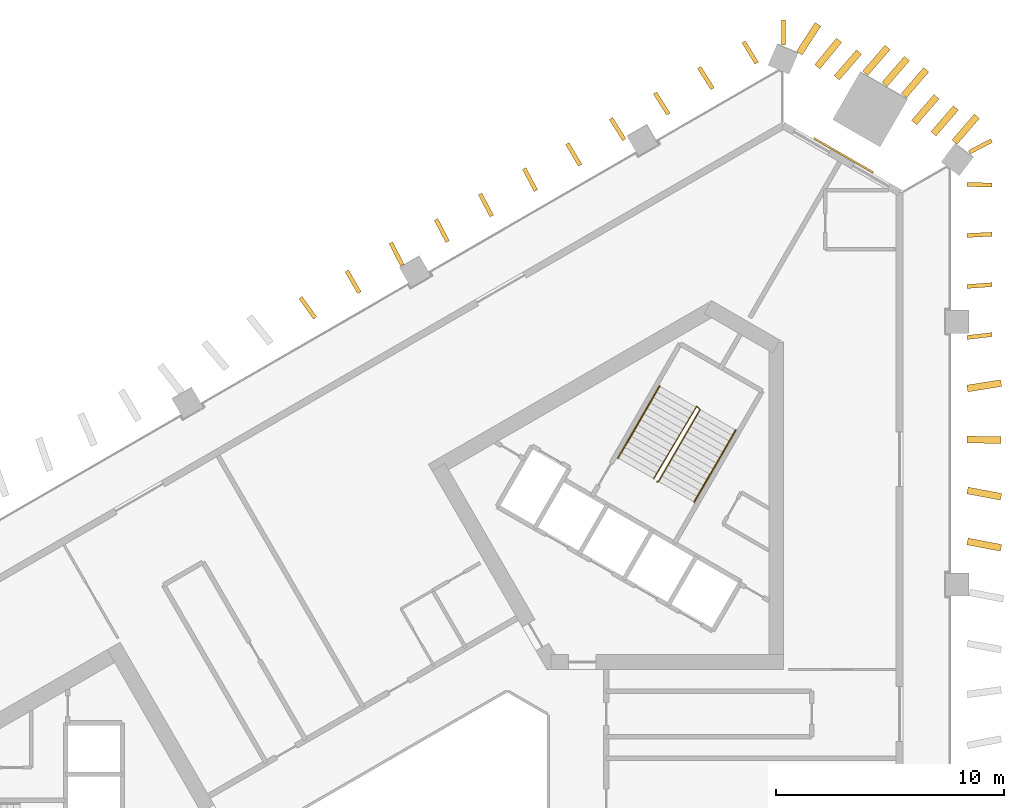
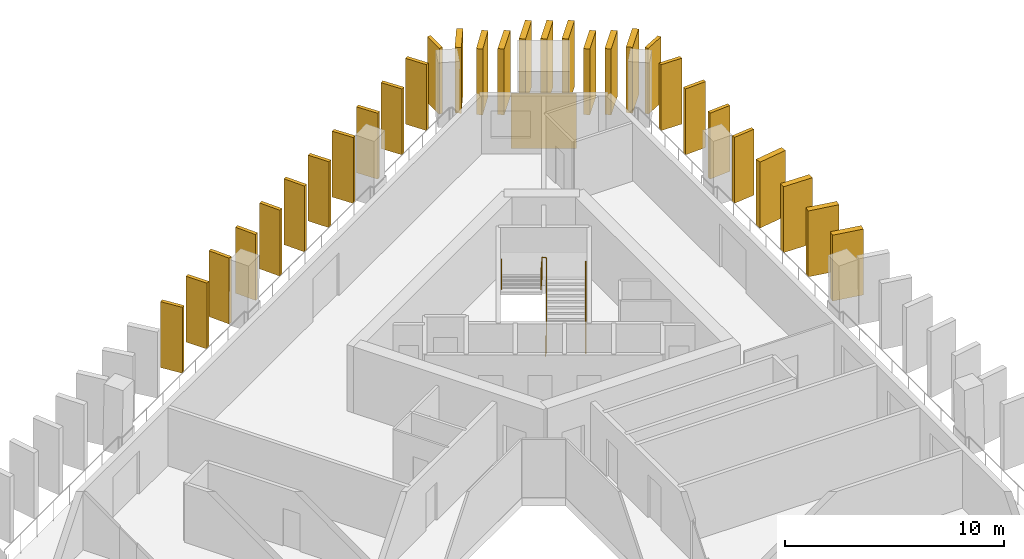
# One storey, part 10 of 10: 30 shading devices, 3 railings, 1 covering.
"""IFC4 building model written with IfcOpenShell, lengths in metres."""

from ifc_helpers import new_model, si_unit, direction, frame, frame_2d, origin, origin_2d, place, context, subcontext, project, spatial, rectangle, circle, extrude, material, layer, layer_set, type_object, element, save


model = new_model("IFC4")

# Units and contexts
model_context = context("Model", 3, precision=1e-05, world=origin(), true_north=direction((0.0, 1.0)))
body_context = subcontext(model_context, "Body", "Model", "MODEL_VIEW")
ifc_project = project(units=[si_unit("LENGTHUNIT", "METRE"), si_unit("AREAUNIT", "SQUARE_METRE"), si_unit("VOLUMEUNIT", "CUBIC_METRE"), si_unit("PLANEANGLEUNIT", "RADIAN"), si_unit("MASSUNIT", "GRAM", prefix="KILO")], contexts=[model_context])

# Site, building, storey
site_placement = place(None, origin())
site = spatial("IfcSite", under=ifc_project, at=site_placement, CompositionType="ELEMENT")
building_placement = place(site_placement, origin())
building = spatial("IfcBuilding", under=site, at=building_placement, Name="Jabali Bay Hotel Tower and Convention Centre", CompositionType="ELEMENT")
storey_placement = place(building_placement, frame((0.0, 0.0, 106.800048828125)))
storey = spatial("IfcBuildingStorey", under=building, at=storey_placement, Name="L25", CompositionType="ELEMENT", Elevation=106.800048828125)

# Shading devices
ifc_material_1 = material(Name="Precast concrete C60", Category="concrete")
ifc_layer_1 = layer(ifc_material_1, 0.179931640625)
ifc_layer_set_1 = layer_set([ifc_layer_1], Name="Precast concrete C60")
shading_device_type_1 = type_object("IfcShadingDeviceType", Name="Precast fin 3680 x 1100", PredefinedType="USERDEFINED", material=ifc_layer_set_1)
shading_device_1_placement = place(storey_placement, frame((97.909912109375, 102.337646484375, 0.010009765625), z_axis=(0.0, 0.0, 1.0), x_axis=(0.993392398036, 0.114767345203, 0.0)))
element("IfcShadingDevice", 1, at=shading_device_1_placement, inside=storey, type_object=shading_device_type_1, Name="Fin L25 023", ObjectType="FIN", PredefinedType="USERDEFINED", context=body_context, shape_type="SweptSolid", body=[
    extrude(rectangle(XDim=1.099853515625, YDim=0.179931640625, at=frame_2d((0.5498046875, 0.0))), origin(), (0.0, 0.0, 1.0), 3.679931640625),
])
for number, where, z_axis, x_axis, name in (
    (2, (97.906005859375, 104.5712890625, 0.010009765625), (0.0, 0.0, 1.0), (0.997330965232, 0.073013326115, 0.0), "Fin L25 024"),
    (3, (97.904052734375, 106.80517578125, 0.010009765625), (0.0, 0.0, 1.0), (0.998696380733, 0.051044481682, 0.0), "Fin L25 025"),
    (4, (97.901123046875, 109.038818359375, 0.010009765625), (0.0, 0.0, 1.0), (0.999838398582, -0.0179771166, 0.0), "Fin L25 026"),
    (5, (88.697509765625, 114.35302734375, 0.010009765625), (0.0, 0.0, 1.0), (-0.523701173986, 0.851902036836, 0.0), "Fin L25 036"),
):
    element("IfcShadingDevice", number, at=place(storey_placement, frame(where, z_axis=z_axis, x_axis=x_axis)), inside=storey, type_object=shading_device_type_1, Name=name, ObjectType="FIN", PredefinedType="USERDEFINED", context=body_context, shape_type="SweptSolid", body=[
        extrude(rectangle(XDim=1.10009765625, YDim=0.179931640625, at=frame_2d((0.550048828125, 0.0))), origin(), (0.0, 0.0, 1.0), 3.679931640625),
    ])
shading_device_2_placement = place(storey_placement, frame((86.762451171875, 113.237060546875, 0.010009765625), z_axis=(0.0, 0.0, 1.0), x_axis=(-0.532530640354, 0.846410725998, 0.0)))
element("IfcShadingDevice", 6, at=shading_device_2_placement, inside=storey, type_object=shading_device_type_1, Name="Fin L25 037", ObjectType="FIN", PredefinedType="USERDEFINED", context=body_context, shape_type="SweptSolid", body=[
    extrude(rectangle(XDim=1.099853515625, YDim=0.179931640625, at=frame_2d((0.5498046875, 0.0))), origin(), (0.0, 0.0, 1.0), 3.679931640625),
])
shading_device_3_placement = place(storey_placement, frame((84.827880859375, 112.1201171875, 0.010009765625), z_axis=(0.0, 0.0, 1.0), x_axis=(-0.532430600127, 0.846473659394, 0.0)))
element("IfcShadingDevice", 7, at=shading_device_3_placement, inside=storey, type_object=shading_device_type_1, Name="Fin L25 038", ObjectType="FIN", PredefinedType="USERDEFINED", context=body_context, shape_type="SweptSolid", body=[
    extrude(rectangle(XDim=1.10009765625, YDim=0.179931640625, at=frame_2d((0.550048828125, 0.0))), origin(), (0.0, 0.0, 1.0), 3.679931640625),
])
for number, where, z_axis, x_axis, name in (
    (8, (82.8935546875, 111.00341796875, 0.010009765625), (0.0, 0.0, 1.0), (-0.532689641282, 0.846310667587, 0.0), "Fin L25 039"),
    (9, (80.960205078125, 109.88427734375, 0.010009765625), (0.0, 0.0, 1.0), (-0.507854109333, 0.861443093671, 0.0), "Fin L25 040"),
    (10, (79.024658203125, 108.769287109375, 0.010009765625), (0.0, 0.0, 1.0), (-0.469885346658, 0.882727455672, 0.0), "Fin L25 041"),
    (11, (77.08984375, 107.65283203125, 0.010009765625), (0.0, 0.0, 1.0), (-0.465060111315, 0.885279104499, 0.0), "Fin L25 042"),
    (12, (75.1552734375, 106.5361328125, 0.010009765625), (0.0, 0.0, 1.0), (-0.462596350733, 0.886569013833, 0.0), "Fin L25 043"),
):
    element("IfcShadingDevice", number, at=place(storey_placement, frame(where, z_axis=z_axis, x_axis=x_axis)), inside=storey, type_object=shading_device_type_1, Name=name, ObjectType="FIN", PredefinedType="USERDEFINED", context=body_context, shape_type="SweptSolid", body=[
        extrude(rectangle(XDim=1.099853515625, YDim=0.179931640625, at=frame_2d((0.5498046875, 0.0))), origin(), (0.0, 0.0, 1.0), 3.679931640625),
    ])
for number, where, z_axis, x_axis, name in (
    (13, (73.170654296875, 105.50634765625, 0.010009765625), (0.0, 0.0, 1.0), (-0.457217617277, 0.889354850693, 0.0), "Fin L25 044"),
    (14, (71.2880859375, 104.29931640625, 0.010009765625), (0.0, 0.0, 1.0), (-0.498049897102, 0.867148372539, 0.0), "Fin L25 045"),
    (15, (69.349609375, 103.189453125, 0.010009765625), (0.0, 0.0, 1.0), (-0.579242060642, 0.815155589555, 0.0), "Fin L25 046"),
    (16, (98.00732421875, 110.448974609375, 0.010009765625), (0.0, 0.0, 1.0), (0.885788089931, 0.464089926346, 0.0), "Fin L25 109"),
    (17, (89.865966796875, 115.145751953125, 0.010009765625), (0.0, 0.0, 1.0), (-0.001775407766, 0.999998423962, 0.0), "Fin L25 110"),
):
    element("IfcShadingDevice", number, at=place(storey_placement, frame(where, z_axis=z_axis, x_axis=x_axis)), inside=storey, type_object=shading_device_type_1, Name=name, ObjectType="FIN", PredefinedType="USERDEFINED", context=body_context, shape_type="SweptSolid", body=[
        extrude(rectangle(XDim=1.10009765625, YDim=0.179931640625, at=frame_2d((0.550048828125, 0.0))), origin(), (0.0, 0.0, 1.0), 3.679931640625),
    ])
ifc_layer_2 = layer(ifc_material_1, 0.300048828125)
ifc_layer_set_2 = layer_set([ifc_layer_2], Name="Precast concrete C60")
shading_device_type_2 = type_object("IfcShadingDeviceType", Name="Precast fin 3680 x 1500", PredefinedType="USERDEFINED", material=ifc_layer_set_2)
shading_device_4_placement = place(storey_placement, frame((97.927490234375, 93.402587890625, 0.010009765625), z_axis=(0.0, 0.0, 1.0), x_axis=(0.982300086272, -0.187314015788, 0.0)))
element("IfcShadingDevice", 18, at=shading_device_4_placement, inside=storey, type_object=shading_device_type_2, Name="Fin L25 019", ObjectType="FIN", PredefinedType="USERDEFINED", context=body_context, shape_type="SweptSolid", body=[
    extrude(rectangle(XDim=1.500244140625, YDim=0.300048828125, at=frame_2d((0.75, 0.0))), origin(), (0.0, 0.0, 1.0), 3.679931640625),
])
for number, where, z_axis, x_axis, name in (
    (19, (97.92724609375, 95.63623046875, 0.010009765625), (0.0, 0.0, 1.0), (0.982668925995, -0.185369312141, 0.0), "Fin L25 020"),
    (20, (97.902587890625, 97.8701171875, 0.010009765625), (0.0, 0.0, 1.0), (0.999786362628, -0.02066952109, 0.0), "Fin L25 021"),
):
    element("IfcShadingDevice", number, at=place(storey_placement, frame(where, z_axis=z_axis, x_axis=x_axis)), inside=storey, type_object=shading_device_type_2, Name=name, ObjectType="FIN", PredefinedType="USERDEFINED", context=body_context, shape_type="SweptSolid", body=[
        extrude(rectangle(XDim=1.5, YDim=0.300048828125, at=frame_2d((0.75, 0.0))), origin(), (0.0, 0.0, 1.0), 3.679931640625),
    ])
for number, where, z_axis, x_axis, name in (
    (21, (97.923095703125, 100.103759765625, 0.010009765625), (0.0, 0.0, 1.0), (0.987585472114, 0.157082574681, 0.0), "Fin L25 022"),
    (22, (97.361328125, 110.895751953125, 0.010009765625), (0.0, 0.0, 1.0), (0.653882588745, 0.756596034973, 0.0), "Fin L25 027"),
    (23, (96.44140625, 111.26123046875, 0.010009765625), (0.0, 0.0, 1.0), (0.653882588745, 0.756596034973, 0.0), "Fin L25 028"),
):
    element("IfcShadingDevice", number, at=place(storey_placement, frame(where, z_axis=z_axis, x_axis=x_axis)), inside=storey, type_object=shading_device_type_2, Name=name, ObjectType="FIN", PredefinedType="USERDEFINED", context=body_context, shape_type="SweptSolid", body=[
        extrude(rectangle(XDim=1.499755859375, YDim=0.300048828125, at=frame_2d((0.75, 0.0))), origin(), (0.0, 0.0, 1.0), 3.679931640625),
    ])
shading_device_5_placement = place(storey_placement, frame((95.59326171875, 111.750732421875, 0.010009765625), z_axis=(0.0, 0.0, 1.0), x_axis=(0.653802064203, 0.756665620234, 0.0)))
element("IfcShadingDevice", 24, at=shading_device_5_placement, inside=storey, type_object=shading_device_type_2, Name="Fin L25 029", ObjectType="FIN", PredefinedType="USERDEFINED", context=body_context, shape_type="SweptSolid", body=[
    extrude(rectangle(XDim=1.5, YDim=0.300048828125, at=frame_2d((0.75, 0.0))), origin(), (0.0, 0.0, 1.0), 3.679931640625),
])
shading_device_6_placement = place(storey_placement, frame((95.14453125, 112.9326171875, 0.010009765625), z_axis=(0.0, 0.0, 1.0), x_axis=(0.653895235714, 0.756585104737, 0.0)))
element("IfcShadingDevice", 25, at=shading_device_6_placement, inside=storey, type_object=shading_device_type_2, Name="Fin L25 030", ObjectType="FIN", PredefinedType="USERDEFINED", context=body_context, shape_type="SweptSolid", body=[
    extrude(rectangle(XDim=1.500244140625, YDim=0.300048828125, at=frame_2d((0.75, 0.0))), origin(), (0.0, 0.0, 1.0), 3.679931640625),
])
for number, where, z_axis, x_axis, name in (
    (26, (94.29638671875, 113.42236328125, 0.010009765625), (0.0, 0.0, 1.0), (0.65397575459, 0.756515507051, 0.0), "Fin L25 031"),
    (27, (93.4482421875, 113.912109375, 0.010009765625), (0.0, 0.0, 1.0), (0.65397575459, 0.756515507051, 0.0), "Fin L25 032"),
    (28, (92.200439453125, 113.709716796875, 0.010009765625), (0.0, 0.0, 1.0), (0.65397575459, 0.756515507051, 0.0), "Fin L25 033"),
    (29, (91.350341796875, 114.196044921875, 0.010009765625), (0.0, 0.0, 1.0), (0.634725540534, 0.772737658066, 0.0), "Fin L25 034"),
    (30, (90.566162109375, 114.79638671875, 0.010009765625), (0.0, 0.0, 1.0), (0.542130576904, 0.840294256547, 0.0), "Fin L25 035"),
):
    element("IfcShadingDevice", number, at=place(storey_placement, frame(where, z_axis=z_axis, x_axis=x_axis)), inside=storey, type_object=shading_device_type_2, Name=name, ObjectType="FIN", PredefinedType="USERDEFINED", context=body_context, shape_type="SweptSolid", body=[
        extrude(rectangle(XDim=1.5, YDim=0.300048828125, at=frame_2d((0.75, 0.0))), origin(), (0.0, 0.0, 1.0), 3.679931640625),
    ])

# Covering
ifc_material_2 = material(Name="Precast concrete C40/50", Category="concrete")
ifc_layer_3 = layer(ifc_material_2, 0.080078125)
ifc_layer_set_3 = layer_set([ifc_layer_3], Name="Precast concrete C40/50")
covering_type = type_object("IfcCoveringType", Name="Relief panel 3000 x 3050", PredefinedType="CLADDING", material=ifc_layer_set_3)
covering_placement = place(storey_placement, frame((92.502685546875, 110.315673828125, 0.10009765625), z_axis=(0.0, 0.0, 1.0), x_axis=(0.866025376165, -0.500000047839, 0.0)))
element("IfcCovering", 31, at=covering_placement, inside=storey, type_object=covering_type, Name="Relief panel L25", PredefinedType="CLADDING", context=body_context, shape_type="SweptSolid", body=[
    extrude(rectangle(XDim=3.0, YDim=0.080078125, at=origin_2d()), origin(), (0.0, 0.0, 1.0), 3.050048828125),
])

# Railings
ifc_material_3 = material(Name="Steel Q355B", Category="steel")
railing_type_1 = type_object("IfcRailingType", Name="Stair guard 1100", PredefinedType="GUARDRAIL", material=ifc_material_3)
railing_1_placement = place(storey_placement, frame((84.329833984375, 96.010009765625, 0.0)))
element("IfcRailing", 32, at=railing_1_placement, inside=storey, type_object=railing_type_1, Name="L25 ST2 stair guard 1", PredefinedType="GUARDRAIL", context=body_context, shape_type="SweptSolid", body=[
    extrude(circle(Radius=0.02392578125, at=origin_2d()), frame((0.0, 0.0, 1.076171875), z_axis=(0.456201556387, 0.122196845461, 0.881446578591), x_axis=(-0.258736085224, 0.965948051503, 0.0)), (0.0, 0.0, 1.0), 0.14990234375),
    extrude(circle(Radius=0.02392578125, at=origin_2d()), frame((0.068359375, 0.018310546875, 1.2080078125), z_axis=(0.452190331055, 0.783190014029, 0.426775475427), x_axis=(-0.866018046521, 0.500012742938, 0.0)), (0.0, 0.0, 1.0), 4.02490234375),
    extrude(circle(Radius=0.02392578125, at=origin_2d()), frame((1.888427734375, 3.170654296875, 2.92578125), z_axis=(-0.718850276695, 0.695164929852, 0.0), x_axis=(-0.695164929852, -0.718850276695, 0.0)), (0.0, 0.0, 1.0), 0.2060546875),
    extrude(circle(Radius=0.02392578125, at=origin_2d()), frame((1.740234375, 3.31396484375, 2.92578125), z_axis=(-0.457445338502, -0.768046879266, 0.448160410493), x_axis=(0.859157857954, -0.511710636118, 0.0)), (0.0, 0.0, 1.0), 4.128173828125),
    extrude(circle(Radius=0.02099609375, at=origin_2d()), origin(), (0.0, 0.0, 1.0), 1.052001953125),
    extrude(circle(Radius=0.02099609375, at=origin_2d()), frame((0.068359375, 0.018310546875, 0.132080078125)), (0.0, 0.0, 1.0), 1.052001953125),
    extrude(circle(Radius=0.02099609375, at=origin_2d()), frame((0.5234375, 0.806396484375, 0.5615234375)), (0.0, 0.0, 1.0), 1.052001953125),
    extrude(circle(Radius=0.02099609375, at=origin_2d()), frame((0.978515625, 1.594482421875, 0.990966796875)), (0.0, 0.0, 1.0), 1.052001953125),
    extrude(circle(Radius=0.02099609375, at=origin_2d()), frame((1.433349609375, 2.382568359375, 1.42041015625)), (0.0, 0.0, 1.0), 1.052001953125),
    extrude(circle(Radius=0.02099609375, at=origin_2d()), frame((1.888427734375, 3.170654296875, 1.849853515625)), (0.0, 0.0, 1.0), 1.052001953125),
    extrude(circle(Radius=0.02099609375, at=origin_2d()), frame((1.740234375, 3.31396484375, 1.849853515625)), (0.0, 0.0, 1.0), 1.052001953125),
    extrude(circle(Radius=0.02099609375, at=origin_2d()), frame((1.26806640625, 2.521240234375, 2.3125)), (0.0, 0.0, 1.0), 1.052001953125),
    extrude(circle(Radius=0.02099609375, at=origin_2d()), frame((0.7958984375, 1.728515625, 2.77490234375)), (0.0, 0.0, 1.0), 1.052001953125),
    extrude(circle(Radius=0.02099609375, at=origin_2d()), frame((0.323974609375, 0.93603515625, 3.2373046875)), (0.0, 0.0, 1.0), 1.052001953125),
    extrude(circle(Radius=0.02099609375, at=origin_2d()), frame((-0.148193359375, 0.143310546875, 3.699951171875)), (0.0, 0.0, 1.0), 1.052001953125),
])
railing_type_2 = type_object("IfcRailingType", Name="Stair handrail 900", PredefinedType="HANDRAIL", material=ifc_material_3)
railing_2_placement = place(storey_placement, frame((85.95703125, 95.128173828125, 0.132080078125)))
element("IfcRailing", 33, at=railing_2_placement, inside=storey, type_object=railing_type_2, Name="L25 ST2 stair handrail 1", PredefinedType="HANDRAIL", context=body_context, shape_type="SweptSolid", body=[
    extrude(circle(Radius=0.02392578125, at=origin_2d()), frame((0.0, 0.0, 0.8759765625), z_axis=(0.452190331055, 0.783190014029, 0.426775475427), x_axis=(-0.866018046521, 0.500012742938, 0.0)), (0.0, 0.0, 1.0), 4.02490234375),
    extrude(circle(Radius=0.02099609375, at=origin_2d()), origin(), (0.0, 0.0, 1.0), 0.851806640625),
    extrude(circle(Radius=0.02099609375, at=origin_2d()), frame((0.455078125, 0.7880859375, 0.429443359375)), (0.0, 0.0, 1.0), 0.851806640625),
    extrude(circle(Radius=0.02099609375, at=origin_2d()), frame((0.91015625, 1.576171875, 0.85888671875)), (0.0, 0.0, 1.0), 0.851806640625),
    extrude(circle(Radius=0.02099609375, at=origin_2d()), frame((1.364990234375, 2.3642578125, 1.288330078125)), (0.0, 0.0, 1.0), 0.851806640625),
    extrude(circle(Radius=0.02099609375, at=origin_2d()), frame((1.820068359375, 3.15234375, 1.7177734375)), (0.0, 0.0, 1.0), 0.851806640625),
])
railing_3_placement = place(storey_placement, frame((84.44287109375, 100.20556640625, 1.982177734375)))
element("IfcRailing", 34, at=railing_3_placement, inside=storey, type_object=railing_type_2, Name="L25 ST2 stair handrail 2", PredefinedType="HANDRAIL", context=body_context, shape_type="SweptSolid", body=[
    extrude(circle(Radius=0.02392578125, at=origin_2d()), frame((0.0, 0.0, 0.8759765625), z_axis=(-0.452190331055, -0.783190014029, 0.426775475427), x_axis=(0.866018046521, -0.500012742938, 0.0)), (0.0, 0.0, 1.0), 4.02490234375),
    extrude(circle(Radius=0.02099609375, at=origin_2d()), origin(), (0.0, 0.0, 1.0), 0.851806640625),
    extrude(circle(Radius=0.02099609375, at=origin_2d()), frame((-0.455078125, -0.7880859375, 0.429443359375)), (0.0, 0.0, 1.0), 0.851806640625),
    extrude(circle(Radius=0.02099609375, at=origin_2d()), frame((-0.91015625, -1.576171875, 0.85888671875)), (0.0, 0.0, 1.0), 0.851806640625),
    extrude(circle(Radius=0.02099609375, at=origin_2d()), frame((-1.364990234375, -2.3642578125, 1.288330078125)), (0.0, 0.0, 1.0), 0.851806640625),
    extrude(circle(Radius=0.02099609375, at=origin_2d()), frame((-1.820068359375, -3.15234375, 1.7177734375)), (0.0, 0.0, 1.0), 0.851806640625),
])

save(model, "model.ifc")
